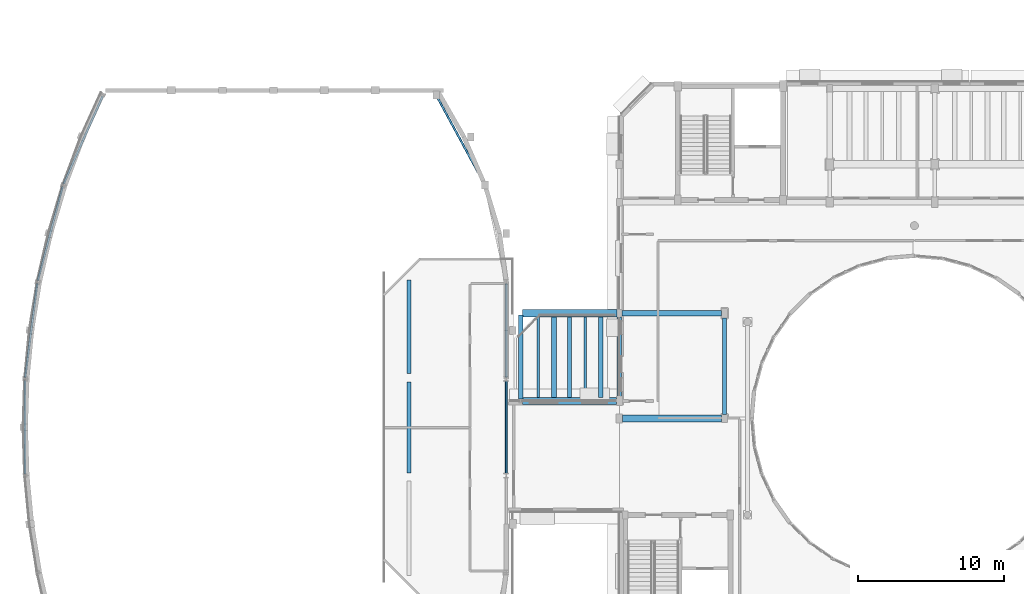
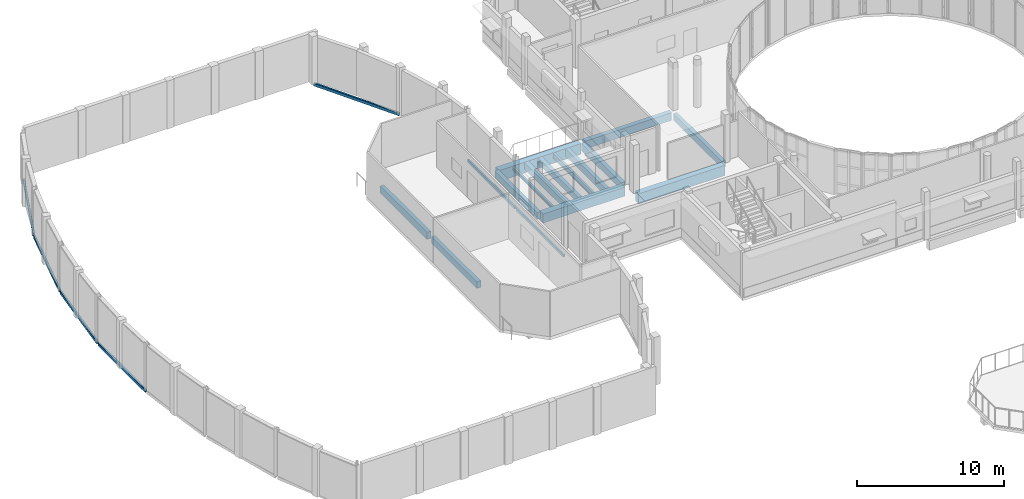
# One storey, part 19 of 92: 21 beams.
"""IFC4 building model written with IfcOpenShell, lengths in metres."""

from ifc_helpers import new_model, si_unit, direction, frame, origin, origin_2d, place, context, subcontext, project, spatial, rectangle, hollow_rectangle, i_section, extrude, material, material_profile, profile_set, type_object, element, save


model = new_model("IFC4")

# Units and contexts
model_context = context("Model", 3, precision=1e-05, world=origin(), true_north=direction((0.0, 1.0)))
body_context = subcontext(model_context, "Body", "Model", "MODEL_VIEW")
ifc_project = project(units=[si_unit("LENGTHUNIT", "METRE"), si_unit("AREAUNIT", "SQUARE_METRE"), si_unit("VOLUMEUNIT", "CUBIC_METRE"), si_unit("PLANEANGLEUNIT", "RADIAN"), si_unit("MASSUNIT", "GRAM", prefix="KILO")], contexts=[model_context])

# Site, building, storey
site_placement = place(None, origin())
site = spatial("IfcSite", under=ifc_project, at=site_placement, CompositionType="ELEMENT")
building_placement = place(site_placement, origin())
building = spatial("IfcBuilding", under=site, at=building_placement, Name="Kelanivale Promenade Academy", CompositionType="ELEMENT")
storey_placement = place(building_placement, frame((0.0, 0.0, 8.199951171875)))
storey = spatial("IfcBuildingStorey", under=building, at=storey_placement, Name="L02", CompositionType="ELEMENT", Elevation=8.199951171875)

# Beams
ifc_material_1 = material(Name="Concrete C35/45", Category="concrete")
ifc_material_profile_1 = material_profile(ifc_material_1, rectangle(XDim=0.449951171875, YDim=0.85009765625, at=origin_2d()), Name="RC-BM 450x850")
ifc_profile_set_1 = profile_set([ifc_material_profile_1], Name="Concrete C35/45")
beam_type_1 = type_object("IfcBeamType", Name="BM-05 RC-BM 450x850", PredefinedType="BEAM", material=ifc_profile_set_1)
beam_1_placement = place(storey_placement, frame((43.419921875, 56.800048828125, -0.64501953125), z_axis=(1.0, 0.0, 0.0), x_axis=(0.0, 1.0, 0.0)))
element("IfcBeam", 1, at=beam_1_placement, inside=storey, type_object=beam_type_1, Name="L02 girder BM-05", PredefinedType="BEAM", context=body_context, shape_type="SweptSolid", body=[
    extrude(rectangle(XDim=0.449951171875, YDim=0.85009765625, at=origin_2d()), origin(), (0.0, 0.0, 1.0), 6.78515625),
])
ifc_material_profile_2 = material_profile(ifc_material_1, rectangle(XDim=0.5, YDim=0.75, at=origin_2d()), Name="RC-BM 500x750")
ifc_profile_set_2 = profile_set([ifc_material_profile_2], Name="Concrete C35/45")
beam_type_2 = type_object("IfcBeamType", Name="BM-06 RC-BM 500x750", PredefinedType="BEAM", material=ifc_profile_set_2)
beam_2_placement = place(storey_placement, frame((36.572021484375, 58.0, -0.594970703125), z_axis=(1.0, 0.0, 0.0), x_axis=(0.0, 1.0, 0.0)))
element("IfcBeam", 2, at=beam_2_placement, inside=storey, type_object=beam_type_2, Name="L02 girder BM-06", PredefinedType="BEAM", context=body_context, shape_type="SweptSolid", body=[
    extrude(rectangle(XDim=0.5, YDim=0.75, at=origin_2d()), origin(), (0.0, 0.0, 1.0), 6.432861328125),
])
ifc_material_profile_3 = material_profile(ifc_material_1, rectangle(XDim=0.5, YDim=0.89990234375, at=origin_2d()), Name="RC-BM 500x900")
ifc_profile_set_3 = profile_set([ifc_material_profile_3], Name="Concrete C35/45")
beam_type_3 = type_object("IfcBeamType", Name="BM-08 RC-BM 500x900", PredefinedType="BEAM", material=ifc_profile_set_3)
beam_3_placement = place(storey_placement, frame((36.572021484375, 64.0, -0.68505859375), z_axis=(1.0, 0.0, 0.0), x_axis=(0.0, 1.0, 0.0)))
element("IfcBeam", 3, at=beam_3_placement, inside=storey, type_object=beam_type_3, Name="L02 girder BM-08", PredefinedType="BEAM", context=body_context, shape_type="SweptSolid", body=[
    extrude(rectangle(XDim=0.5, YDim=0.89990234375, at=origin_2d()), origin(), (0.0, 0.0, 1.0), 6.4580078125),
])
ifc_material_profile_4 = material_profile(ifc_material_1, rectangle(XDim=0.35009765625, YDim=0.64990234375, at=origin_2d()), Name="RC-BM 350x650")
ifc_profile_set_4 = profile_set([ifc_material_profile_4], Name="Concrete C35/45")
beam_type_4 = type_object("IfcBeamType", Name="BM-10 RC-BM 350x650", PredefinedType="BEAM", material=ifc_profile_set_4)
beam_4_placement = place(storey_placement, frame((43.3701171875, 64.0, -0.544921875), z_axis=(1.0, 0.0, 0.0), x_axis=(0.0, 1.0, 0.0)))
element("IfcBeam", 4, at=beam_4_placement, inside=storey, type_object=beam_type_4, Name="L02 girder BM-10", PredefinedType="BEAM", context=body_context, shape_type="SweptSolid", body=[
    extrude(rectangle(XDim=0.35009765625, YDim=0.64990234375, at=origin_2d()), origin(), (0.0, 0.0, 1.0), 6.8349609375),
])
ifc_material_profile_5 = material_profile(ifc_material_1, rectangle(XDim=0.300048828125, YDim=0.5, at=origin_2d()), Name="RC-BM 300x500")
ifc_profile_set_5 = profile_set([ifc_material_profile_5], Name="Concrete C35/45")
beam_type_5 = type_object("IfcBeamType", Name="JS-01 RC-BM 300x500", PredefinedType="JOIST", material=ifc_profile_set_5)
beam_5_placement = place(storey_placement, frame((39.7880859375, 58.25, -0.48486328125), z_axis=(0.0, 1.0, 0.0), x_axis=(-1.0, 0.0, 0.0)))
element("IfcBeam", 5, at=beam_5_placement, inside=storey, type_object=beam_type_5, Name="L02 secondary sub-beam JS-01", PredefinedType="JOIST", context=body_context, shape_type="SweptSolid", body=[
    extrude(rectangle(XDim=0.300048828125, YDim=0.5, at=origin_2d()), origin(), (0.0, 0.0, 1.0), 5.5),
])
ifc_material_profile_6 = material_profile(ifc_material_1, rectangle(XDim=0.300048828125, YDim=0.550048828125, at=origin_2d()), Name="RC-BM 300x550")
ifc_profile_set_6 = profile_set([ifc_material_profile_6], Name="Concrete C35/45")
beam_type_6 = type_object("IfcBeamType", Name="JS-02 RC-BM 300x550", PredefinedType="JOIST", material=ifc_profile_set_6)
beam_6_placement = place(storey_placement, frame((28.800048828125, 53.070068359375, -0.5400390625), z_axis=(0.0, 1.0, 0.0), x_axis=(-1.0, 0.0, 0.0)))
element("IfcBeam", 6, at=beam_6_placement, inside=storey, type_object=beam_type_6, Name="L02 beam JS-02", PredefinedType="JOIST", context=body_context, shape_type="SweptSolid", body=[
    extrude(rectangle(XDim=0.300048828125, YDim=0.550048828125, at=origin_2d()), origin(), (0.0, 0.0, 1.0), 6.23486328125),
])
beam_7_placement = place(storey_placement, frame((50.39990234375, 57.070068359375, -0.494873046875), z_axis=(0.0, 1.0, 0.0), x_axis=(-1.0, 0.0, 0.0)))
element("IfcBeam", 7, at=beam_7_placement, inside=storey, type_object=beam_type_6, Name="L02 beam JS-02", PredefinedType="JOIST", context=body_context, shape_type="SweptSolid", body=[
    extrude(rectangle(XDim=0.300048828125, YDim=0.550048828125, at=origin_2d()), origin(), (0.0, 0.0, 1.0), 6.60986328125),
])
ifc_material_profile_7 = material_profile(ifc_material_1, rectangle(XDim=0.300048828125, YDim=0.60009765625, at=origin_2d()), Name="RC-BM 300x600")
ifc_profile_set_7 = profile_set([ifc_material_profile_7], Name="Concrete C35/45")
beam_type_7 = type_object("IfcBeamType", Name="JS-03 RC-BM 300x600", PredefinedType="JOIST", material=ifc_profile_set_7)
beam_8_placement = place(storey_placement, frame((28.800048828125, 59.89501953125, -0.56494140625), z_axis=(0.0, 1.0, 0.0), x_axis=(-1.0, 0.0, 0.0)))
element("IfcBeam", 8, at=beam_8_placement, inside=storey, type_object=beam_type_7, Name="L02 beam JS-03", PredefinedType="JOIST", context=body_context, shape_type="SweptSolid", body=[
    extrude(rectangle(XDim=0.300048828125, YDim=0.60009765625, at=origin_2d()), origin(), (0.0, 0.0, 1.0), 6.385009765625),
])
beam_9_placement = place(storey_placement, frame((41.93310546875, 58.25, -0.534912109375), z_axis=(0.0, 1.0, 0.0), x_axis=(-1.0, 0.0, 0.0)))
element("IfcBeam", 9, at=beam_9_placement, inside=storey, type_object=beam_type_7, Name="L02 secondary sub-beam JS-03", PredefinedType="JOIST", context=body_context, shape_type="SweptSolid", body=[
    extrude(rectangle(XDim=0.300048828125, YDim=0.60009765625, at=origin_2d()), origin(), (0.0, 0.0, 1.0), 5.5),
])
ifc_material_profile_8 = material_profile(ifc_material_1, rectangle(XDim=0.320068359375, YDim=0.550048828125, at=origin_2d()), Name="RC-BM 320x550")
ifc_profile_set_8 = profile_set([ifc_material_profile_8], Name="Concrete C35/45")
beam_type_8 = type_object("IfcBeamType", Name="JS-04 RC-BM 320x550", PredefinedType="JOIST", material=ifc_profile_set_8)
beam_10_placement = place(storey_placement, frame((36.449951171875, 58.1220703125, -0.510009765625), z_axis=(0.0, 1.0, 0.0), x_axis=(-1.0, 0.0, 0.0)))
element("IfcBeam", 10, at=beam_10_placement, inside=storey, type_object=beam_type_8, Name="L02 beam JS-04", PredefinedType="JOIST", context=body_context, shape_type="SweptSolid", body=[
    extrude(rectangle(XDim=0.320068359375, YDim=0.550048828125, at=origin_2d()), origin(), (0.0, 0.0, 1.0), 5.755859375),
])
ifc_material_profile_9 = material_profile(ifc_material_1, rectangle(XDim=0.320068359375, YDim=0.60009765625, at=origin_2d()), Name="RC-BM 320x600")
ifc_profile_set_9 = profile_set([ifc_material_profile_9], Name="Concrete C35/45")
beam_type_9 = type_object("IfcBeamType", Name="JS-05 RC-BM 320x600", PredefinedType="JOIST", material=ifc_profile_set_9)
beam_11_placement = place(storey_placement, frame((43.199951171875, 58.320068359375, -0.52001953125), z_axis=(0.0, 1.0, 0.0), x_axis=(-1.0, 0.0, 0.0)))
element("IfcBeam", 11, at=beam_11_placement, inside=storey, type_object=beam_type_9, Name="L02 beam JS-05", PredefinedType="JOIST", context=body_context, shape_type="SweptSolid", body=[
    extrude(rectangle(XDim=0.320068359375, YDim=0.60009765625, at=origin_2d()), origin(), (0.0, 0.0, 1.0), 5.434814453125),
])
ifc_material_profile_10 = material_profile(ifc_material_1, rectangle(XDim=0.35009765625, YDim=0.550048828125, at=origin_2d()), Name="RC-BM 350x550")
ifc_profile_set_10 = profile_set([ifc_material_profile_10], Name="Concrete C35/45")
beam_type_10 = type_object("IfcBeamType", Name="JS-06 RC-BM 350x550", PredefinedType="JOIST", material=ifc_profile_set_10)
beam_12_placement = place(storey_placement, frame((38.716064453125, 58.25, -0.510009765625), z_axis=(0.0, 1.0, 0.0), x_axis=(-1.0, 0.0, 0.0)))
element("IfcBeam", 12, at=beam_12_placement, inside=storey, type_object=beam_type_10, Name="L02 secondary sub-beam JS-06", PredefinedType="JOIST", context=body_context, shape_type="SweptSolid", body=[
    extrude(rectangle(XDim=0.35009765625, YDim=0.550048828125, at=origin_2d()), origin(), (0.0, 0.0, 1.0), 5.5),
])
ifc_material_2 = material(Name="Steel S355", Category="steel")
ifc_material_profile_11 = material_profile(ifc_material_2, i_section(OverallWidth=0.14599609375, OverallDepth=0.25146484375, WebThickness=0.006103515625, FlangeThickness=0.008544921875, FilletRadius=0.007568359375, at=origin_2d()), Name="UB 254x146x31")
ifc_profile_set_11 = profile_set([ifc_material_profile_11], Name="Steel S355")
beam_type_11 = type_object("IfcBeamType", Name="SB-02 UB 254x146x31", PredefinedType="JOIST", material=ifc_profile_set_11)
beam_13_placement = place(storey_placement, frame((37.64404296875, 58.25, -0.36083984375), z_axis=(0.0, 1.0, 0.0), x_axis=(-1.0, 0.0, 0.0)))
element("IfcBeam", 13, at=beam_13_placement, inside=storey, type_object=beam_type_11, Name="L02 secondary sub-beam SB-02", PredefinedType="JOIST", context=body_context, shape_type="SweptSolid", body=[
    extrude(i_section(OverallWidth=0.14599609375, OverallDepth=0.25146484375, WebThickness=0.006103515625, FlangeThickness=0.008544921875, FilletRadius=0.007568359375, at=origin_2d()), origin(), (0.0, 0.0, 1.0), 5.5),
])
ifc_material_profile_12 = material_profile(ifc_material_2, i_section(OverallWidth=0.177978515625, OverallDepth=0.406494140625, WebThickness=0.0078125, FlangeThickness=0.0126953125, FilletRadius=0.01025390625, at=origin_2d()), Name="UB 406x178x60")
ifc_profile_set_12 = profile_set([ifc_material_profile_12], Name="Steel S355")
beam_type_12 = type_object("IfcBeamType", Name="SB-05 UB 406x178x60", PredefinedType="BEAM", material=ifc_profile_set_12)
beam_14_placement = place(storey_placement, frame((40.861083984375, 58.25, -0.43798828125), z_axis=(0.0, 1.0, 0.0), x_axis=(-1.0, 0.0, 0.0)))
element("IfcBeam", 14, at=beam_14_placement, inside=storey, type_object=beam_type_12, Name="L02 secondary sub-beam SB-05", PredefinedType="BEAM", context=body_context, shape_type="SweptSolid", body=[
    extrude(i_section(OverallWidth=0.177978515625, OverallDepth=0.406494140625, WebThickness=0.0078125, FlangeThickness=0.0126953125, FilletRadius=0.01025390625, at=origin_2d()), origin(), (0.0, 0.0, 1.0), 5.5),
])
ifc_material_profile_13 = material_profile(ifc_material_2, hollow_rectangle(XDim=0.14990234375, YDim=0.25, WallThickness=0.010009765625, InnerFilletRadius=0.010009765625, OuterFilletRadius=0.02001953125, at=origin_2d()), Name="RHS 250x150x10.0")
ifc_profile_set_13 = profile_set([ifc_material_profile_13], Name="Steel S355")
beam_type_13 = type_object("IfcBeamType", Name="SB-13 RHS 250x150x10.0", PredefinedType="SPANDREL", material=ifc_profile_set_13)
for number, where, z_axis, x_axis, name in (
    (15, (2.506103515625, 52.986083984375, -0.125), (0.0, 1.0, 0.0), (-1.0, 0.0, 0.0), "Sports Hall Crescent Pavilion curved ring beam SB-13"),
    (16, (35.449951171875, 52.986083984375, -0.389892578125), (0.0, 1.0, 0.0), (-1.0, 0.0, 0.0), "Sports Hall Crescent Pavilion inner kidney ring beam SB-13"),
):
    element("IfcBeam", number, at=place(storey_placement, frame(where, z_axis=z_axis, x_axis=x_axis)), inside=storey, type_object=beam_type_13, Name=name, PredefinedType="SPANDREL", context=body_context, shape_type="SweptSolid", body=[
        extrude(hollow_rectangle(XDim=0.14990234375, YDim=0.25, WallThickness=0.010009765625, InnerFilletRadius=0.010009765625, OuterFilletRadius=0.02001953125, at=origin_2d()), origin(), (0.0, 0.0, 1.0), 6.427978515625),
    ])
beam_15_placement = place(storey_placement, frame((2.51904296875, 59.613037109375, -0.125), z_axis=(0.127532854927, 0.991834346509, 0.0), x_axis=(-0.991834346509, 0.127532854927, 0.0)))
element("IfcBeam", 17, at=beam_15_placement, inside=storey, type_object=beam_type_13, Name="Sports Hall Crescent Pavilion curved ring beam SB-13", PredefinedType="SPANDREL", context=body_context, shape_type="SweptSolid", body=[
    extrude(hollow_rectangle(XDim=0.14990234375, YDim=0.25, WallThickness=0.010009765625, InnerFilletRadius=0.010009765625, OuterFilletRadius=0.02001953125, at=origin_2d()), origin(), (0.0, 0.0, 1.0), 6.48388671875),
])
beam_16_placement = place(storey_placement, frame((35.449951171875, 59.614013671875, -0.389892578125), z_axis=(0.0, 1.0, 0.0), x_axis=(-1.0, 0.0, 0.0)))
element("IfcBeam", 18, at=beam_16_placement, inside=storey, type_object=beam_type_13, Name="Sports Hall Crescent Pavilion inner kidney ring beam SB-13", PredefinedType="SPANDREL", context=body_context, shape_type="SweptSolid", body=[
    extrude(hollow_rectangle(XDim=0.14990234375, YDim=0.25, WallThickness=0.010009765625, InnerFilletRadius=0.010009765625, OuterFilletRadius=0.02001953125, at=origin_2d()), origin(), (0.0, 0.0, 1.0), 6.428955078125),
])
beam_17_placement = place(storey_placement, frame((3.385009765625, 66.239990234375, -0.125), z_axis=(0.255444826884, 0.966823634598, 0.0), x_axis=(-0.966823634598, 0.255444826884, 0.0)))
element("IfcBeam", 19, at=beam_17_placement, inside=storey, type_object=beam_type_13, Name="Sports Hall Crescent Pavilion curved ring beam SB-13", PredefinedType="SPANDREL", context=body_context, shape_type="SweptSolid", body=[
    extrude(hollow_rectangle(XDim=0.14990234375, YDim=0.25, WallThickness=0.010009765625, InnerFilletRadius=0.010009765625, OuterFilletRadius=0.02001953125, at=origin_2d()), origin(), (0.0, 0.0, 1.0), 6.65478515625),
])
beam_18_placement = place(storey_placement, frame((5.152099609375, 72.862060546875, -0.125), z_axis=(0.40660775048, 0.913602833429, 0.0), x_axis=(-0.913602833429, 0.40660775048, 0.0)))
element("IfcBeam", 20, at=beam_18_placement, inside=storey, type_object=beam_type_13, Name="Sports Hall Crescent Pavilion curved ring beam SB-13", PredefinedType="SPANDREL", context=body_context, shape_type="SweptSolid", body=[
    extrude(hollow_rectangle(XDim=0.14990234375, YDim=0.25, WallThickness=0.010009765625, InnerFilletRadius=0.010009765625, OuterFilletRadius=0.02001953125, at=origin_2d()), origin(), (0.0, 0.0, 1.0), 6.56396484375),
])
beam_19_placement = place(storey_placement, frame((33.951904296875, 72.85888671875, -0.125), z_axis=(-0.476530768852, 0.879157793765, 0.0), x_axis=(-0.879157793765, -0.476530768852, 0.0)))
element("IfcBeam", 21, at=beam_19_placement, inside=storey, type_object=beam_type_13, Name="Sports Hall Crescent Pavilion inner kidney ring beam SB-13", PredefinedType="SPANDREL", context=body_context, shape_type="SweptSolid", body=[
    extrude(hollow_rectangle(XDim=0.14990234375, YDim=0.25, WallThickness=0.010009765625, InnerFilletRadius=0.010009765625, OuterFilletRadius=0.02001953125, at=origin_2d()), origin(), (0.0, 0.0, 1.0), 6.828369140625),
])

save(model, "model.ifc")
